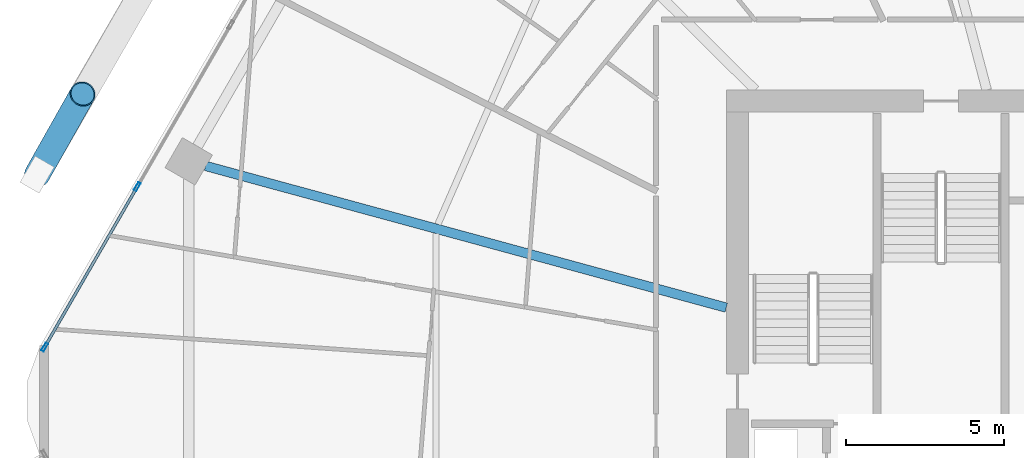
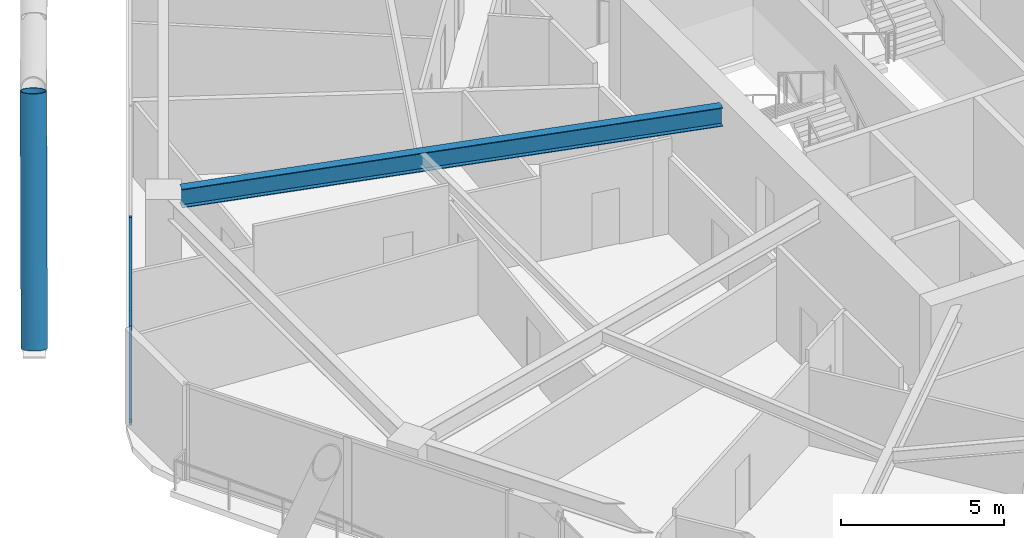
# One storey, part 13 of 35: 5 members, 1 beam, 1 element without a shape of its own.
"""IFC4 building model written with IfcOpenShell, lengths in metres."""

from ifc_helpers import new_model, si_unit, direction, frame, origin, origin_2d, place, context, subcontext, project, spatial, hollow_rectangle, hollow_circle, i_section, extrude, material, material_profile, profile_set, type_object, element, aggregate, save


model = new_model("IFC4")

# Units and contexts
model_context = context("Model", 3, precision=1e-05, world=origin(), true_north=direction((0.0, 1.0)))
body_context = subcontext(model_context, "Body", "Model", "MODEL_VIEW")
ifc_project = project(units=[si_unit("LENGTHUNIT", "METRE"), si_unit("AREAUNIT", "SQUARE_METRE"), si_unit("VOLUMEUNIT", "CUBIC_METRE"), si_unit("PLANEANGLEUNIT", "RADIAN"), si_unit("MASSUNIT", "GRAM", prefix="KILO")], contexts=[model_context])

# Site, building, storey
site_placement = place(None, origin())
site = spatial("IfcSite", under=ifc_project, at=site_placement, CompositionType="ELEMENT")
building_placement = place(site_placement, origin())
building = spatial("IfcBuilding", under=site, at=building_placement, Name="Zuhravey Tower", CompositionType="ELEMENT")
storey_placement = place(building_placement, frame((0.0, 0.0, 122.800048828125)))
storey = spatial("IfcBuildingStorey", under=building, at=storey_placement, Name="L30", CompositionType="ELEMENT", Elevation=122.800048828125)

# Curtain wall, members
ifc_material_1 = material(Name="Thermally broken anodised aluminium", Category="aluminium")
curtain_wall_type = type_object("IfcCurtainWallType", Name="Zone 1-2 Residential Curtain Wall CW3", PredefinedType="NOTDEFINED", material=ifc_material_1)
curtain_wall_placement = place(storey_placement, origin())
curtain_wall = element("IfcCurtainWall", 1, at=curtain_wall_placement, inside=storey, type_object=curtain_wall_type, Name="L30 CW3 CW-L30-F3-1", PredefinedType="NOTDEFINED")
ifc_material_2 = material(Name="Anodised aluminium", Category="aluminium")
ifc_material_profile_1 = material_profile(ifc_material_2, hollow_rectangle(XDim=0.090087890625, YDim=0.284912109375, WallThickness=0.0048828125, at=origin_2d()), Name="ALU-RHS-90x285x5")
ifc_profile_set_1 = profile_set([ifc_material_profile_1], Name="Anodised aluminium")
member_type_1 = type_object("IfcMemberType", Name="Curtain-Wall Mullion 90x180", PredefinedType="MULLION", material=ifc_profile_set_1)
member_1_placement = place(storey_placement, frame((3.5439453125, 33.701416015625, 0.0), z_axis=(0.0, 0.0, 1.0), x_axis=(-0.86602552265, 0.499999794119, 0.0)))
member_1 = element("IfcMember", 2, at=member_1_placement, type_object=member_type_1, Name="CW3 mullion 1", PredefinedType="MULLION", context=body_context, shape_type="SweptSolid", body=[
    extrude(hollow_rectangle(XDim=0.090087890625, YDim=0.284912109375, WallThickness=0.0048828125, at=origin_2d()), origin(), (0.0, 0.0, 1.0), 3.550048828125),
])
member_2_placement = place(storey_placement, frame((6.4814453125, 38.789306640625, 0.0), z_axis=(0.0, 0.0, 1.0), x_axis=(-0.86602552265, 0.499999794119, 0.0)))
member_2 = element("IfcMember", 3, at=member_2_placement, type_object=member_type_1, Name="CW3 mullion 2", PredefinedType="MULLION", context=body_context, shape_type="SweptSolid", body=[
    extrude(hollow_rectangle(XDim=0.090087890625, YDim=0.284912109375, WallThickness=0.0048828125, at=origin_2d()), origin(), (0.0, 0.0, 1.0), 3.550048828125),
])
ifc_material_profile_2 = material_profile(ifc_material_2, hollow_rectangle(XDim=0.090087890625, YDim=0.14990234375, WallThickness=0.0048828125, at=origin_2d()), Name="ALU-RHS-90x150x5")
ifc_profile_set_2 = profile_set([ifc_material_profile_2], Name="Anodised aluminium")
member_type_2 = type_object("IfcMemberType", Name="Curtain-Wall Transom 90x150", PredefinedType="USERDEFINED", material=ifc_profile_set_2)
member_3_placement = place(storey_placement, frame((3.56640625, 33.740478515625, 0.044921875), z_axis=(0.500024450573, 0.866011286779, 0.0), x_axis=(-0.866011286779, 0.500024450573, 0.0)))
member_3 = element("IfcMember", 4, at=member_3_placement, type_object=member_type_2, Name="CW3 transom 1.1", ObjectType="TRANSOM", PredefinedType="USERDEFINED", context=body_context, shape_type="SweptSolid", body=[
    extrude(hollow_rectangle(XDim=0.090087890625, YDim=0.14990234375, WallThickness=0.0048828125, at=origin_2d()), origin(), (0.0, 0.0, 1.0), 5.784912109375),
])
member_4_placement = place(storey_placement, frame((3.56640625, 33.740478515625, 3.5048828125), z_axis=(0.500024450573, 0.866011286779, 0.0), x_axis=(-0.866011286779, 0.500024450573, 0.0)))
member_4 = element("IfcMember", 5, at=member_4_placement, type_object=member_type_2, Name="CW3 transom 1.2", ObjectType="TRANSOM", PredefinedType="USERDEFINED", context=body_context, shape_type="SweptSolid", body=[
    extrude(hollow_rectangle(XDim=0.090087890625, YDim=0.14990234375, WallThickness=0.0048828125, at=origin_2d()), origin(), (0.0, 0.0, 1.0), 5.784912109375),
])
aggregate(curtain_wall, [member_1, member_2, member_3, member_4])

# Member
ifc_material_3 = material(Name="Steel SM460", Category="steel")
ifc_material_profile_3 = material_profile(ifc_material_3, hollow_circle(Radius=0.406494140625, WallThickness=0.035888671875, at=origin_2d()), Name="CHS-812.8x36")
ifc_profile_set_3 = profile_set([ifc_material_profile_3], Name="Steel SM460")
member_type_3 = type_object("IfcMemberType", Name="Exoskeleton Zone 1 Diagrid CHS813x36", PredefinedType="BRACE", material=ifc_profile_set_3)
member_5_placement = place(storey_placement, frame((3.310791015625, 39.177978515625, -0.442138671875), z_axis=(0.177374572946, 0.314555892909, 0.932519625053), x_axis=(-0.871058104172, 0.491179986519, 0.0)))
element("IfcMember", 6, at=member_5_placement, inside=storey, type_object=member_type_3, Name="L30 Face 3 Diagrid Brace 4", PredefinedType="BRACE", context=body_context, shape_type="SweptSolid", body=[
    extrude(hollow_circle(Radius=0.406494140625, WallThickness=0.035888671875, at=origin_2d()), origin(), (0.0, 0.0, 1.0), 8.10302734375),
])

# Beam
ifc_material_4 = material(Name="Steel SM355", Category="steel")
ifc_material_profile_4 = material_profile(ifc_material_4, i_section(OverallWidth=0.300048828125, OverallDepth=0.699951171875, WebThickness=0.012939453125, FlangeThickness=0.02392578125, at=origin_2d()), Name="H-700x300x13x24")
ifc_profile_set_4 = profile_set([ifc_material_profile_4], Name="Steel SM355")
beam_type = type_object("IfcBeamType", Name="Radial Primary Girder H700x300", PredefinedType="BEAM", material=ifc_profile_set_4)
beam_placement = place(storey_placement, frame((25.14697265625, 34.954345703125, 3.199951171875), z_axis=(-0.964893166225, 0.262642680791, 0.0), x_axis=(-0.262642680791, -0.964893166225, 0.0)))
element("IfcBeam", 7, at=beam_placement, inside=storey, type_object=beam_type, Name="L30 RG1 BM-L30-RAD-06", PredefinedType="BEAM", context=body_context, shape_type="SweptSolid", body=[
    extrude(i_section(OverallWidth=0.300048828125, OverallDepth=0.699951171875, WebThickness=0.012939453125, FlangeThickness=0.02392578125, at=origin_2d()), origin(), (0.0, 0.0, 1.0), 17.102783203125),
])

save(model, "model.ifc")
